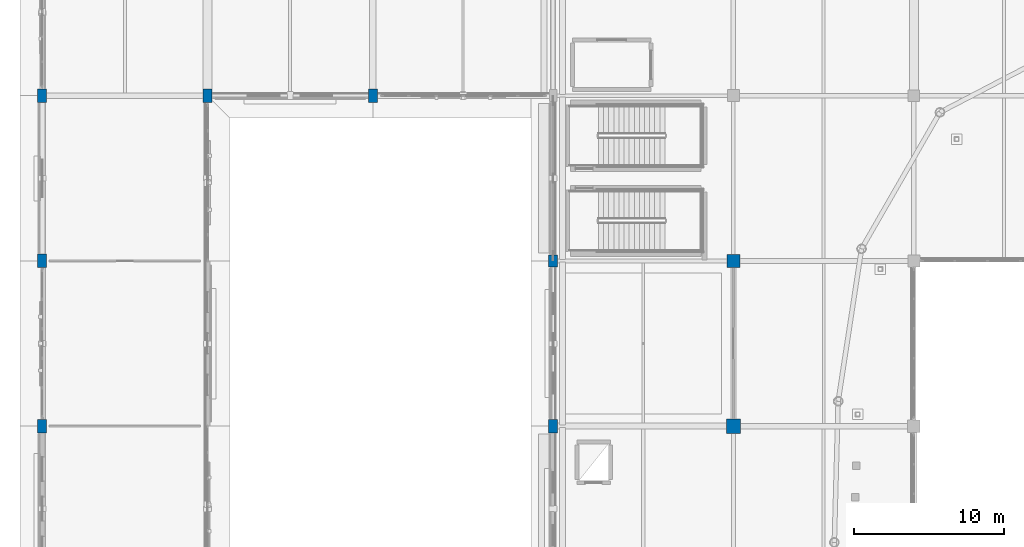
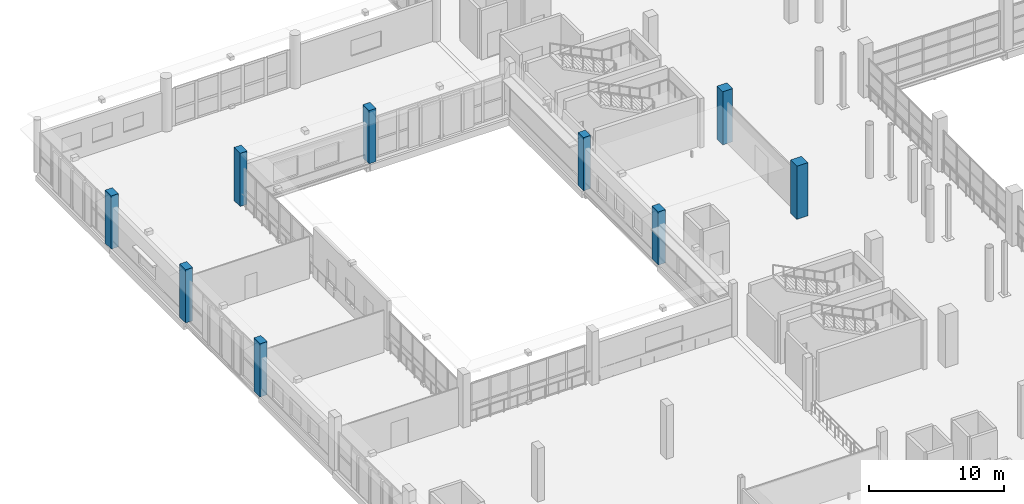
# One storey, part 8 of 143: 9 columns.
"""IFC4 building model written with IfcOpenShell, lengths in metres."""

from ifc_helpers import new_model, si_unit, direction, frame, origin, origin_2d, place, context, subcontext, project, spatial, rectangle, extrude, material, material_profile, profile_set, type_object, element, save


model = new_model("IFC4")

# Units and contexts
model_context = context("Model", 3, precision=1e-05, world=origin(), true_north=direction((0.0, 1.0)))
body_context = subcontext(model_context, "Body", "Model", "MODEL_VIEW")
ifc_project = project(units=[si_unit("LENGTHUNIT", "METRE"), si_unit("AREAUNIT", "SQUARE_METRE"), si_unit("VOLUMEUNIT", "CUBIC_METRE"), si_unit("PLANEANGLEUNIT", "RADIAN"), si_unit("MASSUNIT", "GRAM", prefix="KILO")], contexts=[model_context])

# Site, building, storey
site_placement = place(None, origin())
site = spatial("IfcSite", under=ifc_project, at=site_placement, CompositionType="ELEMENT")
building_placement = place(site_placement, origin())
building = spatial("IfcBuilding", under=site, at=building_placement, Name="Luwafu Chhajja Arena", CompositionType="ELEMENT")
storey_placement = place(building_placement, frame((0.0, 0.0, 5.39990234375)))
storey = spatial("IfcBuildingStorey", under=building, at=storey_placement, Name="L01", CompositionType="ELEMENT", Elevation=5.39990234375)

# Columns
ifc_material_1 = material(Name="Concrete C40/50", Category="concrete")
ifc_material_profile_1 = material_profile(ifc_material_1, rectangle(XDim=0.949951171875, YDim=0.949951171875, at=origin_2d()), Name="RC 950x950")
ifc_profile_set_1 = profile_set([ifc_material_profile_1], Name="Concrete C40/50")
column_type_1 = type_object("IfcColumnType", Name="Bowl Raker Support Column RC 950", PredefinedType="COLUMN", material=ifc_profile_set_1)
column_1_placement = place(storey_placement, frame((46.0, 66.0, 0.0), z_axis=(0.0, 0.0, 1.0), x_axis=(1.0, 0.0, 0.0)))
element("IfcColumn", 1, at=column_1_placement, inside=storey, type_object=column_type_1, Name="L01 Grid Column 5/G", PredefinedType="COLUMN", context=body_context, shape_type="SweptSolid", body=[
    extrude(rectangle(XDim=0.949951171875, YDim=0.949951171875, at=origin_2d()), origin(), (0.0, 0.0, 1.0), 4.800048828125),
])
ifc_material_2 = material(Name="Concrete C35/45", Category="concrete")
ifc_material_profile_2 = material_profile(ifc_material_2, rectangle(XDim=0.85009765625, YDim=0.85009765625, at=origin_2d()), Name="RC 850x850")
ifc_profile_set_2 = profile_set([ifc_material_profile_2], Name="Concrete C35/45")
column_type_2 = type_object("IfcColumnType", Name="Concourse Heavy Column RC 850", PredefinedType="COLUMN", material=ifc_profile_set_2)
column_2_placement = place(storey_placement, frame((46.0, 77.0, 0.0), z_axis=(0.0, 0.0, 1.0), x_axis=(1.0, 0.0, 0.0)))
element("IfcColumn", 2, at=column_2_placement, inside=storey, type_object=column_type_2, Name="L01 Grid Column 5/H", PredefinedType="COLUMN", context=body_context, shape_type="SweptSolid", body=[
    extrude(rectangle(XDim=0.85009765625, YDim=0.85009765625, at=origin_2d()), origin(), (0.0, 0.0, 1.0), 4.800048828125),
])
ifc_material_profile_3 = material_profile(ifc_material_1, rectangle(XDim=0.60009765625, YDim=0.800048828125, at=origin_2d()), Name="RC 600x800")
ifc_profile_set_3 = profile_set([ifc_material_profile_3], Name="Concrete C40/50")
column_type_3 = type_object("IfcColumnType", Name="Pishtaq Pier Column RC 600x800", PredefinedType="COLUMN", material=ifc_profile_set_3)
column_3_placement = place(storey_placement, frame((34.0, 77.0, 0.0), z_axis=(0.0, 0.0, 1.0), x_axis=(1.0, 0.0, 0.0)))
element("IfcColumn", 3, at=column_3_placement, inside=storey, type_object=column_type_3, Name="L01 Grid Column 4/H", PredefinedType="COLUMN", context=body_context, shape_type="SweptSolid", body=[
    extrude(rectangle(XDim=0.60009765625, YDim=0.800048828125, at=origin_2d()), origin(), (0.0, 0.0, 1.0), 4.800048828125),
])
ifc_material_profile_4 = material_profile(ifc_material_1, rectangle(XDim=0.60009765625, YDim=0.89990234375, at=origin_2d()), Name="RC 600x900")
ifc_profile_set_4 = profile_set([ifc_material_profile_4], Name="Concrete C40/50")
column_type_4 = type_object("IfcColumnType", Name="Warm-Up Hall Portal Column RC 600x900", PredefinedType="COLUMN", material=ifc_profile_set_4)
for number, where, z_axis, x_axis, name in (
    (4, (0.0, 66.0, 0.0), (0.0, 0.0, 1.0), (1.0, 0.0, 0.0), "L01 Grid Column 1/G"),
    (5, (0.0, 77.0, 0.0), (0.0, 0.0, 1.0), (1.0, 0.0, 0.0), "L01 Grid Column 1/H"),
    (6, (0.0, 88.0, 0.0), (0.0, 0.0, 1.0), (1.0, 0.0, 0.0), "L01 Grid Column 1/J"),
    (7, (11.0, 88.0, 0.0), (0.0, 0.0, 1.0), (1.0, 0.0, 0.0), "L01 Grid Column 2/J"),
    (8, (22.0, 88.0, 0.0), (0.0, 0.0, 1.0), (1.0, 0.0, 0.0), "L01 Grid Column 3/J"),
    (9, (34.0, 66.0, 0.0), (0.0, 0.0, 1.0), (1.0, 0.0, 0.0), "L01 Grid Column 4/G"),
):
    element("IfcColumn", number, at=place(storey_placement, frame(where, z_axis=z_axis, x_axis=x_axis)), inside=storey, type_object=column_type_4, Name=name, PredefinedType="COLUMN", context=body_context, shape_type="SweptSolid", body=[
        extrude(rectangle(XDim=0.60009765625, YDim=0.89990234375, at=origin_2d()), origin(), (0.0, 0.0, 1.0), 4.800048828125),
    ])

save(model, "model.ifc")
